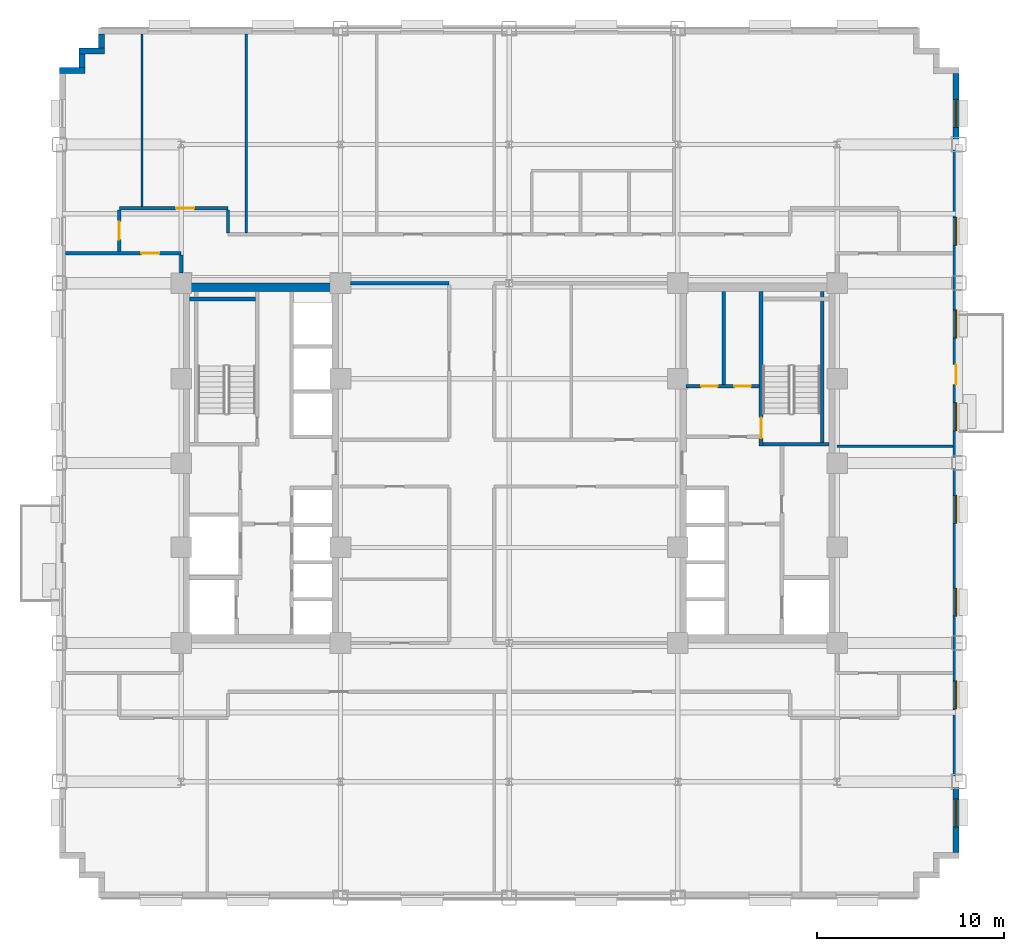
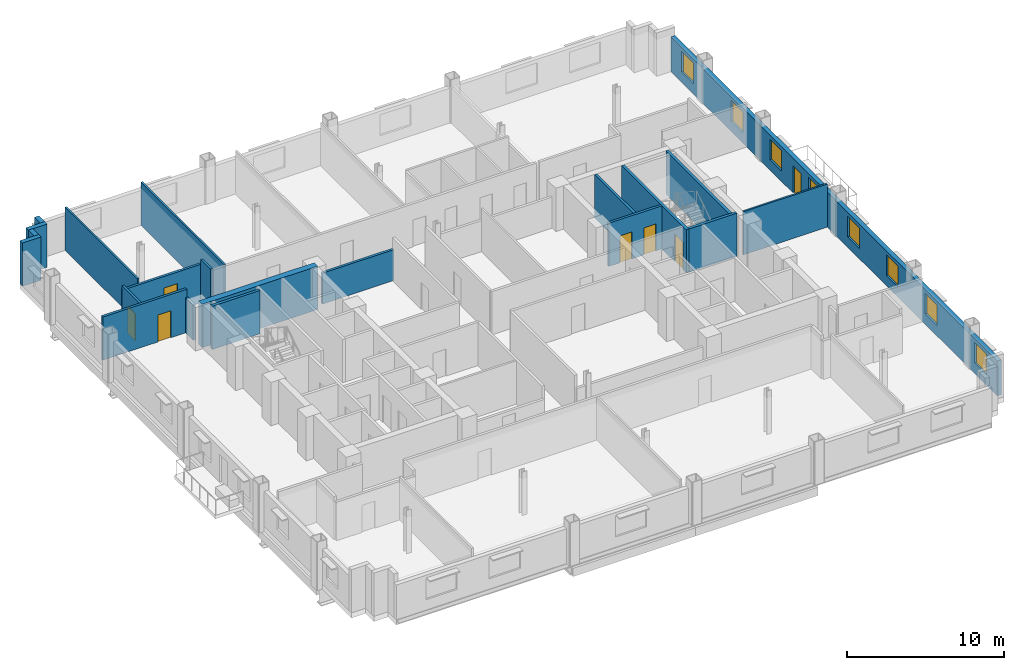
# One storey, part 8 of 15: 21 walls, 8 windows, 7 doors, 15 openings.
"""IFC4 building model written with IfcOpenShell, lengths in metres."""

from ifc_helpers import new_model, si_unit, direction, frame, frame_2d, origin, place, context, subcontext, project, spatial, rectangle, extrude, source, transform, mapped, material, layer, layer_set, type_object, type_shapes, element, fill, save


model = new_model("IFC4")

# Units and contexts
model_context = context("Model", 3, precision=1e-05, world=origin(), true_north=direction((0.0, 1.0)))
body_context = subcontext(model_context, "Body", "Model", "MODEL_VIEW")
ifc_project = project(units=[si_unit("LENGTHUNIT", "METRE"), si_unit("AREAUNIT", "SQUARE_METRE"), si_unit("VOLUMEUNIT", "CUBIC_METRE"), si_unit("PLANEANGLEUNIT", "RADIAN"), si_unit("MASSUNIT", "GRAM", prefix="KILO")], contexts=[model_context])

# Site, building, storey
site_placement = place(None, origin())
site = spatial("IfcSite", under=ifc_project, at=site_placement, CompositionType="ELEMENT")
building_placement = place(site_placement, origin())
building = spatial("IfcBuilding", under=site, at=building_placement, Name="Nuvemarco Arch Tower", CompositionType="ELEMENT")
storey_placement = place(building_placement, frame((0.0, 0.0, 86.0)))
storey = spatial("IfcBuildingStorey", under=building, at=storey_placement, Name="L22", CompositionType="ELEMENT", Elevation=86.0)

# Wall, openings, door, windows
ifc_material_1 = material(Name="Precast concrete C45/55", Category="concrete")
ifc_layer_1 = layer(ifc_material_1, 0.320068359375, Name="EW-MID-320")
ifc_layer_set_1 = layer_set([ifc_layer_1], Name="Precast concrete C45/55")
wall_type_1 = type_object("IfcWallType", Name="EW-MID-320", PredefinedType="STANDARD", material=ifc_layer_set_1)
wall_1_placement = place(storey_placement, frame((23.840087890625, -20.783935546875, 0.0), z_axis=(0.0, 0.0, 1.0), x_axis=(0.0, 1.0, 0.0)))
wall_1 = element("IfcWall", 1, at=wall_1_placement, inside=storey, type_object=wall_type_1, Name="L22 exterior precast facade wall 6", PredefinedType="STANDARD", context=body_context, shape_type="SweptSolid", body=[
    extrude(rectangle(XDim=41.56787109375, YDim=0.320068359375, at=frame_2d((20.783935546875, 0.0))), origin(), (0.0, 0.0, 1.0), 2.705078125),
])
opening_1_placement = place(wall_1_placement, frame((26.033935546875, 0.0, 0.0), z_axis=(0.0, 0.0, 1.0), x_axis=(-1.0, 0.0, 0.0)))
opening_1 = element("IfcOpeningElement", 2, at=opening_1_placement, cuts=wall_1, Name="Opening ED-5", PredefinedType="OPENING", context=body_context, shape_type="SweptSolid", body=[
    extrude(rectangle(XDim=1.050048828125, YDim=2.10009765625, at=frame_2d((0.52490234375, 1.050048828125))), frame((0.0, 0.169921875, 0.0), z_axis=(0.0, -1.0, 0.0), x_axis=(1.0, 0.0, 0.0)), (0.0, 0.0, 1.0), 0.340087890625),
])
opening_2_placement = place(wall_1_placement, frame((1.373046875, 0.0, 0.800048828125)))
opening_2 = element("IfcOpeningElement", 3, at=opening_2_placement, cuts=wall_1, Name="Opening WN-11", PredefinedType="OPENING", context=body_context, shape_type="SweptSolid", body=[
    extrude(rectangle(XDim=1.5, YDim=1.60009765625, at=frame_2d((0.75, 0.800048828125))), frame((0.0, 0.169921875, 0.0), z_axis=(0.0, -1.0, 0.0), x_axis=(1.0, 0.0, 0.0)), (0.0, 0.0, 1.0), 0.340087890625),
])
opening_3_placement = place(wall_1_placement, frame((7.6689453125, 0.0, 0.800048828125)))
opening_3 = element("IfcOpeningElement", 4, at=opening_3_placement, cuts=wall_1, Name="Opening WN-11", PredefinedType="OPENING", context=body_context, shape_type="SweptSolid", body=[
    extrude(rectangle(XDim=1.5, YDim=1.60009765625, at=frame_2d((0.75, 0.800048828125))), frame((0.0, 0.169921875, 0.0), z_axis=(0.0, -1.0, 0.0), x_axis=(1.0, 0.0, 0.0)), (0.0, 0.0, 1.0), 0.340087890625),
])
opening_4_placement = place(wall_1_placement, frame((12.614990234375, 0.0, 0.800048828125)))
opening_4 = element("IfcOpeningElement", 5, at=opening_4_placement, cuts=wall_1, Name="Opening WN-11", PredefinedType="OPENING", context=body_context, shape_type="SweptSolid", body=[
    extrude(rectangle(XDim=1.5, YDim=1.60009765625, at=frame_2d((0.75, 0.800048828125))), frame((0.0, 0.169921875, 0.0), z_axis=(0.0, -1.0, 0.0), x_axis=(1.0, 0.0, 0.0)), (0.0, 0.0, 1.0), 0.340087890625),
])
opening_5_placement = place(wall_1_placement, frame((17.56103515625, 0.0, 0.800048828125)))
opening_5 = element("IfcOpeningElement", 6, at=opening_5_placement, cuts=wall_1, Name="Opening WN-11", PredefinedType="OPENING", context=body_context, shape_type="SweptSolid", body=[
    extrude(rectangle(XDim=1.5, YDim=1.60009765625, at=frame_2d((0.75, 0.800048828125))), frame((0.0, 0.169921875, 0.0), z_axis=(0.0, -1.0, 0.0), x_axis=(1.0, 0.0, 0.0)), (0.0, 0.0, 1.0), 0.340087890625),
])
opening_6_placement = place(wall_1_placement, frame((22.507080078125, 0.0, 0.800048828125)))
opening_6 = element("IfcOpeningElement", 7, at=opening_6_placement, cuts=wall_1, Name="Opening WN-11", PredefinedType="OPENING", context=body_context, shape_type="SweptSolid", body=[
    extrude(rectangle(XDim=1.5, YDim=1.60009765625, at=frame_2d((0.75, 0.800048828125))), frame((0.0, 0.169921875, 0.0), z_axis=(0.0, -1.0, 0.0), x_axis=(1.0, 0.0, 0.0)), (0.0, 0.0, 1.0), 0.340087890625),
])
opening_7_placement = place(wall_1_placement, frame((27.452880859375, 0.0, 0.800048828125)))
opening_7 = element("IfcOpeningElement", 8, at=opening_7_placement, cuts=wall_1, Name="Opening WN-11", PredefinedType="OPENING", context=body_context, shape_type="SweptSolid", body=[
    extrude(rectangle(XDim=1.5, YDim=1.60009765625, at=frame_2d((0.75, 0.800048828125))), frame((0.0, 0.169921875, 0.0), z_axis=(0.0, -1.0, 0.0), x_axis=(1.0, 0.0, 0.0)), (0.0, 0.0, 1.0), 0.340087890625),
])
opening_8_placement = place(wall_1_placement, frame((32.39892578125, 0.0, 0.800048828125)))
opening_8 = element("IfcOpeningElement", 9, at=opening_8_placement, cuts=wall_1, Name="Opening WN-11", PredefinedType="OPENING", context=body_context, shape_type="SweptSolid", body=[
    extrude(rectangle(XDim=1.5, YDim=1.60009765625, at=frame_2d((0.75, 0.800048828125))), frame((0.0, 0.169921875, 0.0), z_axis=(0.0, -1.0, 0.0), x_axis=(1.0, 0.0, 0.0)), (0.0, 0.0, 1.0), 0.340087890625),
])
opening_9_placement = place(wall_1_placement, frame((38.695068359375, 0.0, 0.800048828125)))
opening_9 = element("IfcOpeningElement", 10, at=opening_9_placement, cuts=wall_1, Name="Opening WN-11", PredefinedType="OPENING", context=body_context, shape_type="SweptSolid", body=[
    extrude(rectangle(XDim=1.5, YDim=1.60009765625, at=frame_2d((0.75, 0.800048828125))), frame((0.0, 0.169921875, 0.0), z_axis=(0.0, -1.0, 0.0), x_axis=(1.0, 0.0, 0.0)), (0.0, 0.0, 1.0), 0.340087890625),
])
ifc_material_2 = material(Name="Anodised bronze and laminated glass", Category="glass")
door_type_1 = type_object("IfcDoorType", Name="DR-EXT-TERR", OperationType="NOTDEFINED", PredefinedType="DOOR", material=ifc_material_2)
shared_shape_1 = source(origin(), body_context, "Body", "SweptSolid", [
    extrude(rectangle(XDim=1.050048828125, YDim=2.10009765625, at=frame_2d((0.52490234375, 1.050048828125))), frame((0.0, 0.02490234375, 0.0), z_axis=(0.0, -1.0, 0.0), x_axis=(1.0, 0.0, 0.0)), (0.0, 0.0, 1.0), 0.050048828125),
])
type_shapes(door_type_1, [shared_shape_1])
door_1_placement = place(opening_1_placement, origin())
door_1 = element("IfcDoor", 11, at=door_1_placement, inside=storey, type_object=door_type_1, Name="L22 spiral terrace access door", OperationType="SINGLE_SWING_RIGHT", OverallHeight=2.10009765625, OverallWidth=1.050048828125, PredefinedType="DOOR", context=body_context, shape_type="MappedRepresentation", body=[
    mapped(shared_shape_1, transform((0.0, 0.0, 0.0), scale=1.0)),
])
fill(opening_1, door_1)
ifc_material_3 = material(Name="Insulated solar-control glass", Category="glass")
window_type = type_object("IfcWindowType", Name="WN-STEP-1500x1850", PartitioningType="SINGLE_PANEL", PredefinedType="WINDOW", material=ifc_material_3)
shared_shape_2 = source(origin(), body_context, "Body", "SweptSolid", [
    extrude(rectangle(XDim=1.5, YDim=1.60009765625, at=frame_2d((0.75, 0.800048828125))), frame((0.0, 0.030029296875, 0.0), z_axis=(0.0, -1.0, 0.0), x_axis=(1.0, 0.0, 0.0)), (0.0, 0.0, 1.0), 0.06005859375),
])
type_shapes(window_type, [shared_shape_2])
window_1_placement = place(opening_2_placement, origin())
window_1 = element("IfcWindow", 12, at=window_1_placement, inside=storey, type_object=window_type, Name="L22 punched facade window 1", OverallHeight=1.60009765625, OverallWidth=1.5, PartitioningType="SINGLE_PANEL", PredefinedType="WINDOW", context=body_context, shape_type="MappedRepresentation", body=[
    mapped(shared_shape_2, transform((0.0, 0.0, 0.0), scale=1.0)),
])
fill(opening_2, window_1)
window_2_placement = place(opening_3_placement, origin())
window_2 = element("IfcWindow", 13, at=window_2_placement, inside=storey, type_object=window_type, Name="L22 punched facade window 2", OverallHeight=1.60009765625, OverallWidth=1.5, PartitioningType="SINGLE_PANEL", PredefinedType="WINDOW", context=body_context, shape_type="MappedRepresentation", body=[
    mapped(shared_shape_2, transform((0.0, 0.0, 0.0), scale=1.0)),
])
fill(opening_3, window_2)
window_3_placement = place(opening_4_placement, origin())
window_3 = element("IfcWindow", 14, at=window_3_placement, inside=storey, type_object=window_type, Name="L22 punched facade window 3", OverallHeight=1.60009765625, OverallWidth=1.5, PartitioningType="SINGLE_PANEL", PredefinedType="WINDOW", context=body_context, shape_type="MappedRepresentation", body=[
    mapped(shared_shape_2, transform((0.0, 0.0, 0.0), scale=1.0)),
])
fill(opening_4, window_3)
window_4_placement = place(opening_5_placement, origin())
window_4 = element("IfcWindow", 15, at=window_4_placement, inside=storey, type_object=window_type, Name="L22 punched facade window 4", OverallHeight=1.60009765625, OverallWidth=1.5, PartitioningType="SINGLE_PANEL", PredefinedType="WINDOW", context=body_context, shape_type="MappedRepresentation", body=[
    mapped(shared_shape_2, transform((0.0, 0.0, 0.0), scale=1.0)),
])
fill(opening_5, window_4)
window_5_placement = place(opening_6_placement, origin())
window_5 = element("IfcWindow", 16, at=window_5_placement, inside=storey, type_object=window_type, Name="L22 punched facade window 5", OverallHeight=1.60009765625, OverallWidth=1.5, PartitioningType="SINGLE_PANEL", PredefinedType="WINDOW", context=body_context, shape_type="MappedRepresentation", body=[
    mapped(shared_shape_2, transform((0.0, 0.0, 0.0), scale=1.0)),
])
fill(opening_6, window_5)
window_6_placement = place(opening_7_placement, origin())
window_6 = element("IfcWindow", 17, at=window_6_placement, inside=storey, type_object=window_type, Name="L22 punched facade window 6", OverallHeight=1.60009765625, OverallWidth=1.5, PartitioningType="SINGLE_PANEL", PredefinedType="WINDOW", context=body_context, shape_type="MappedRepresentation", body=[
    mapped(shared_shape_2, transform((0.0, 0.0, 0.0), scale=1.0)),
])
fill(opening_7, window_6)
window_7_placement = place(opening_8_placement, origin())
window_7 = element("IfcWindow", 18, at=window_7_placement, inside=storey, type_object=window_type, Name="L22 punched facade window 7", OverallHeight=1.60009765625, OverallWidth=1.5, PartitioningType="SINGLE_PANEL", PredefinedType="WINDOW", context=body_context, shape_type="MappedRepresentation", body=[
    mapped(shared_shape_2, transform((0.0, 0.0, 0.0), scale=1.0)),
])
fill(opening_8, window_7)
window_8_placement = place(opening_9_placement, origin())
window_8 = element("IfcWindow", 19, at=window_8_placement, inside=storey, type_object=window_type, Name="L22 punched facade window 8", OverallHeight=1.60009765625, OverallWidth=1.5, PartitioningType="SINGLE_PANEL", PredefinedType="WINDOW", context=body_context, shape_type="MappedRepresentation", body=[
    mapped(shared_shape_2, transform((0.0, 0.0, 0.0), scale=1.0)),
])
fill(opening_9, window_8)

# Walls
wall_2_placement = place(storey_placement, frame((-21.739990234375, 22.14599609375, 0.0), z_axis=(0.0, 0.0, 1.0), x_axis=(0.0, 1.0, 0.0)))
element("IfcWall", 20, at=wall_2_placement, inside=storey, type_object=wall_type_1, Name="L22 exterior precast facade wall 12", PredefinedType="STANDARD", context=body_context, shape_type="SweptSolid", body=[
    extrude(rectangle(XDim=0.738037109375, YDim=0.320068359375, at=frame_2d((0.369140625, 0.0))), origin(), (0.0, 0.0, 1.0), 3.360107421875),
])
wall_3_placement = place(storey_placement, frame((-22.949951171875, 21.989990234375, 0.0), z_axis=(0.0, 0.0, 1.0), x_axis=(1.0, 0.0, 0.0)))
element("IfcWall", 21, at=wall_3_placement, inside=storey, type_object=wall_type_1, Name="L22 exterior precast facade wall 13", PredefinedType="STANDARD", context=body_context, shape_type="SweptSolid", body=[
    extrude(rectangle(XDim=1.369873046875, YDim=0.320068359375, at=frame_2d((0.68505859375, 0.0))), origin(), (0.0, 0.0, 1.0), 3.360107421875),
])
wall_4_placement = place(storey_placement, frame((-22.7900390625, 21.095947265625, 0.0), z_axis=(0.0, 0.0, 1.0), x_axis=(0.0, 1.0, 0.0)))
element("IfcWall", 22, at=wall_4_placement, inside=storey, type_object=wall_type_1, Name="L22 exterior precast facade wall 14", PredefinedType="STANDARD", context=body_context, shape_type="SweptSolid", body=[
    extrude(rectangle(XDim=0.738037109375, YDim=0.320068359375, at=frame_2d((0.369140625, 0.0))), origin(), (0.0, 0.0, 1.0), 3.360107421875),
])
wall_5_placement = place(storey_placement, frame((-24.0, 20.93994140625, 0.0), z_axis=(0.0, 0.0, 1.0), x_axis=(1.0, 0.0, 0.0)))
element("IfcWall", 23, at=wall_5_placement, inside=storey, type_object=wall_type_1, Name="L22 exterior precast facade wall 15", PredefinedType="STANDARD", context=body_context, shape_type="SweptSolid", body=[
    extrude(rectangle(XDim=1.3701171875, YDim=0.320068359375, at=frame_2d((0.68505859375, 0.0))), origin(), (0.0, 0.0, 1.0), 3.360107421875),
])
ifc_material_4 = material(Name="Concrete C60/75", Category="concrete")
ifc_layer_2 = layer(ifc_material_4, 0.449951171875, Name="WL-CORE-450")
ifc_layer_set_2 = layer_set([ifc_layer_2], Name="Concrete C60/75")
wall_type_2 = type_object("IfcWallType", Name="WL-CORE-450", PredefinedType="SHEAR", material=ifc_layer_set_2)
wall_6_placement = place(storey_placement, frame((-17.5, 9.375, 0.0), z_axis=(0.0, 0.0, 1.0), x_axis=(1.0, 0.0, 0.0)))
element("IfcWall", 24, at=wall_6_placement, inside=storey, type_object=wall_type_2, Name="L22 W-core shear wall N", PredefinedType="SHEAR", context=body_context, shape_type="SweptSolid", body=[
    extrude(rectangle(XDim=8.5, YDim=0.449951171875, at=frame_2d((4.25, 0.0))), origin(), (0.0, 0.0, 1.0), 3.3701171875),
])

# Wall, openings, doors
ifc_material_5 = material(Name="Fire-rated gypsum drywall partition")
ifc_layer_3 = layer(ifc_material_5, 0.179931640625, Name="WL-CORR-180")
ifc_layer_set_3 = layer_set([ifc_layer_3], Name="Fire-rated gypsum drywall partition")
wall_type_3 = type_object("IfcWallType", Name="WL-CORR-180", PredefinedType="PARTITIONING", material=ifc_layer_set_3)
wall_7_placement = place(storey_placement, frame((9.445068359375, 4.10009765625, 0.0), z_axis=(0.0, 0.0, 1.0), x_axis=(1.0, 0.0, 0.0)))
wall_7 = element("IfcWall", 25, at=wall_7_placement, inside=storey, type_object=wall_type_3, Name="L22 interior wall IW-L22-EK3H", PredefinedType="PARTITIONING", context=body_context, shape_type="SweptSolid", body=[
    extrude(rectangle(XDim=3.89990234375, YDim=0.179931640625, at=frame_2d((1.949951171875, 0.0))), origin(), (0.0, 0.0, 1.0), 3.360107421875),
])
opening_10_placement = place(wall_7_placement, frame((0.800048828125, 0.0, 0.0)))
opening_10 = element("IfcOpeningElement", 26, at=opening_10_placement, cuts=wall_7, Name="Opening FD-4", PredefinedType="OPENING", context=body_context, shape_type="SweptSolid", body=[
    extrude(rectangle(XDim=0.8798828125, YDim=2.10009765625, at=frame_2d((0.43994140625, 1.050048828125))), frame((0.0, 0.099853515625, 0.0), z_axis=(0.0, -1.0, 0.0), x_axis=(1.0, 0.0, 0.0)), (0.0, 0.0, 1.0), 0.199951171875),
])
opening_11_placement = place(wall_7_placement, frame((2.56494140625, 0.0, 0.0)))
opening_11 = element("IfcOpeningElement", 27, at=opening_11_placement, cuts=wall_7, Name="Opening FD-4", PredefinedType="OPENING", context=body_context, shape_type="SweptSolid", body=[
    extrude(rectangle(XDim=0.8798828125, YDim=2.10009765625, at=frame_2d((0.43994140625, 1.050048828125))), frame((0.0, 0.099853515625, 0.0), z_axis=(0.0, -1.0, 0.0), x_axis=(1.0, 0.0, 0.0)), (0.0, 0.0, 1.0), 0.199951171875),
])
ifc_material_6 = material(Name="Anodised steel fire door", Category="steel")
door_type_2 = type_object("IfcDoorType", Name="DR-RISER-FD", OperationType="NOTDEFINED", PredefinedType="DOOR", material=ifc_material_6)
shared_shape_3 = source(origin(), body_context, "Body", "SweptSolid", [
    extrude(rectangle(XDim=0.8798828125, YDim=2.10009765625, at=frame_2d((0.43994140625, 1.050048828125))), frame((0.0, 0.02490234375, 0.0), z_axis=(0.0, -1.0, 0.0), x_axis=(1.0, 0.0, 0.0)), (0.0, 0.0, 1.0), 0.050048828125),
])
type_shapes(door_type_2, [shared_shape_3])
door_2_placement = place(opening_10_placement, origin())
door_2 = element("IfcDoor", 28, at=door_2_placement, inside=storey, type_object=door_type_2, Name="L22 door FD-L22-EK3B", OperationType="SINGLE_SWING_LEFT", OverallHeight=2.10009765625, OverallWidth=0.8798828125, PredefinedType="DOOR", context=body_context, shape_type="MappedRepresentation", body=[
    mapped(shared_shape_3, transform((0.0, 0.0, 0.0), scale=1.0)),
])
fill(opening_10, door_2)
door_3_placement = place(opening_11_placement, origin())
door_3 = element("IfcDoor", 29, at=door_3_placement, inside=storey, type_object=door_type_2, Name="L22 door FD-L22-EK3C", OperationType="SINGLE_SWING_RIGHT", OverallHeight=2.10009765625, OverallWidth=0.8798828125, PredefinedType="DOOR", context=body_context, shape_type="MappedRepresentation", body=[
    mapped(shared_shape_3, transform((0.0, 0.0, 0.0), scale=1.0)),
])
fill(opening_11, door_3)

# Walls
wall_8_placement = place(storey_placement, frame((11.449951171875, 4.18994140625, 0.0), z_axis=(0.0, 0.0, 1.0), x_axis=(0.0, 1.0, 0.0)))
element("IfcWall", 30, at=wall_8_placement, inside=storey, type_object=wall_type_3, Name="L22 interior wall IW-L22-EK3V", PredefinedType="PARTITIONING", context=body_context, shape_type="SweptSolid", body=[
    extrude(rectangle(XDim=4.965087890625, YDim=0.179931640625, at=frame_2d((2.482421875, 0.0))), origin(), (0.0, 0.0, 1.0), 3.360107421875),
])
wall_9_placement = place(storey_placement, frame((-8.4541015625, 9.60009765625, 0.0), z_axis=(0.0, 0.0, 1.0), x_axis=(1.0, 0.0, 0.0)))
element("IfcWall", 31, at=wall_9_placement, inside=storey, type_object=wall_type_3, Name="L22 interior wall IW-L22-015", PredefinedType="PARTITIONING", context=body_context, shape_type="SweptSolid", body=[
    extrude(rectangle(XDim=5.254150390625, YDim=0.179931640625, at=frame_2d((2.626953125, 0.0))), origin(), (0.0, 0.0, 1.0), 2.405029296875),
])

# Wall, opening, door
wall_10_placement = place(storey_placement, frame((-23.679931640625, 11.199951171875, 0.0), z_axis=(0.0, 0.0, 1.0), x_axis=(1.0, 0.0, 0.0)))
wall_10 = element("IfcWall", 32, at=wall_10_placement, inside=storey, type_object=wall_type_3, Name="L22 interior wall IW-L22-018", PredefinedType="PARTITIONING", context=body_context, shape_type="SweptSolid", body=[
    extrude(rectangle(XDim=6.179931640625, YDim=0.179931640625, at=frame_2d((3.08984375, 0.0))), origin(), (0.0, 0.0, 1.0), 3.360107421875),
])
opening_12_placement = place(wall_10_placement, frame((4.050048828125, 0.0, 0.0)))
opening_12 = element("IfcOpeningElement", 33, at=opening_12_placement, cuts=wall_10, Name="Opening FD-5", PredefinedType="OPENING", context=body_context, shape_type="SweptSolid", body=[
    extrude(rectangle(XDim=0.9599609375, YDim=2.10009765625, at=frame_2d((0.47998046875, 1.050048828125))), frame((0.0, 0.099853515625, 0.0), z_axis=(0.0, -1.0, 0.0), x_axis=(1.0, 0.0, 0.0)), (0.0, 0.0, 1.0), 0.199951171875),
])
ifc_material_7 = material(Name="Timber fire door", Category="wood")
door_type_3 = type_object("IfcDoorType", Name="DR-CORR-FD", OperationType="NOTDEFINED", PredefinedType="DOOR", material=ifc_material_7)
shared_shape_4 = source(origin(), body_context, "Body", "SweptSolid", [
    extrude(rectangle(XDim=0.9599609375, YDim=2.10009765625, at=frame_2d((0.47998046875, 1.050048828125))), frame((0.0, 0.02490234375, 0.0), z_axis=(0.0, -1.0, 0.0), x_axis=(1.0, 0.0, 0.0)), (0.0, 0.0, 1.0), 0.050048828125),
])
type_shapes(door_type_3, [shared_shape_4])
door_4_placement = place(opening_12_placement, origin())
door_4 = element("IfcDoor", 34, at=door_4_placement, inside=storey, type_object=door_type_3, Name="L22 door DR-L22-W_1", OperationType="SINGLE_SWING_LEFT", OverallHeight=2.10009765625, OverallWidth=0.9599609375, PredefinedType="DOOR", context=body_context, shape_type="MappedRepresentation", body=[
    mapped(shared_shape_4, transform((0.0, 0.0, 0.0), scale=1.0)),
])
fill(opening_12, door_4)

wall_11_placement = place(storey_placement, frame((-20.800048828125, 13.60009765625, 0.0), z_axis=(0.0, 0.0, 1.0), x_axis=(1.0, 0.0, 0.0)))
wall_11 = element("IfcWall", 35, at=wall_11_placement, inside=storey, type_object=wall_type_3, Name="L22 interior wall IW-L22-022", PredefinedType="PARTITIONING", context=body_context, shape_type="SweptSolid", body=[
    extrude(rectangle(XDim=5.800048828125, YDim=0.179931640625, at=frame_2d((2.89990234375, 0.0))), origin(), (0.0, 0.0, 1.0), 2.998046875),
])
opening_13_placement = place(wall_11_placement, frame((3.02490234375, 0.0, 0.0)))
opening_13 = element("IfcOpeningElement", 36, at=opening_13_placement, cuts=wall_11, Name="Opening FD-5", PredefinedType="OPENING", context=body_context, shape_type="SweptSolid", body=[
    extrude(rectangle(XDim=0.9599609375, YDim=2.10009765625, at=frame_2d((0.47998046875, 1.050048828125))), frame((0.0, 0.099853515625, 0.0), z_axis=(0.0, -1.0, 0.0), x_axis=(1.0, 0.0, 0.0)), (0.0, 0.0, 1.0), 0.199951171875),
])
door_5_placement = place(opening_13_placement, origin())
door_5 = element("IfcDoor", 37, at=door_5_placement, inside=storey, type_object=door_type_3, Name="L22 door DR-L22-N_2", OperationType="SINGLE_SWING_LEFT", OverallHeight=2.10009765625, OverallWidth=0.9599609375, PredefinedType="DOOR", context=body_context, shape_type="MappedRepresentation", body=[
    mapped(shared_shape_4, transform((0.0, 0.0, 0.0), scale=1.0)),
])
fill(opening_13, door_5)

wall_12_placement = place(storey_placement, frame((-20.800048828125, 11.285888671875, 0.0), z_axis=(0.0, 0.0, 1.0), x_axis=(0.0, 1.0, 0.0)))
wall_12 = element("IfcWall", 38, at=wall_12_placement, inside=storey, type_object=wall_type_3, Name="L22 interior wall IW-L22-026", PredefinedType="PARTITIONING", context=body_context, shape_type="SweptSolid", body=[
    extrude(rectangle(XDim=2.22802734375, YDim=0.179931640625, at=frame_2d((1.114013671875, 0.0))), origin(), (0.0, 0.0, 1.0), 3.360107421875),
])
opening_14_placement = place(wall_12_placement, frame((0.634033203125, 0.0, 0.0)))
opening_14 = element("IfcOpeningElement", 39, at=opening_14_placement, cuts=wall_12, Name="Opening FD-5", PredefinedType="OPENING", context=body_context, shape_type="SweptSolid", body=[
    extrude(rectangle(XDim=0.9599609375, YDim=2.10009765625, at=frame_2d((0.47998046875, 1.050048828125))), frame((0.0, 0.099853515625, 0.0), z_axis=(0.0, -1.0, 0.0), x_axis=(1.0, 0.0, 0.0)), (0.0, 0.0, 1.0), 0.199951171875),
])
door_6_placement = place(opening_14_placement, origin())
door_6 = element("IfcDoor", 40, at=door_6_placement, inside=storey, type_object=door_type_3, Name="L22 door DR-L22-N_1", OperationType="SINGLE_SWING_LEFT", OverallHeight=2.10009765625, OverallWidth=0.9599609375, PredefinedType="DOOR", context=body_context, shape_type="MappedRepresentation", body=[
    mapped(shared_shape_4, transform((0.0, 0.0, 0.0), scale=1.0)),
])
fill(opening_14, door_6)

# Walls
wall_13_placement = place(storey_placement, frame((-17.5, 10.14599609375, 0.0), z_axis=(0.0, 0.0, 1.0), x_axis=(0.0, 1.0, 0.0)))
element("IfcWall", 41, at=wall_13_placement, inside=storey, type_object=wall_type_3, Name="L22 interior wall IW-L22-029", PredefinedType="PARTITIONING", context=body_context, shape_type="SweptSolid", body=[
    extrude(rectangle(XDim=0.968017578125, YDim=0.179931640625, at=frame_2d((0.48388671875, 0.0))), origin(), (0.0, 0.0, 1.0), 2.738037109375),
])
wall_14_placement = place(storey_placement, frame((-15.0, 12.285888671875, 0.0), z_axis=(0.0, 0.0, 1.0), x_axis=(0.0, 1.0, 0.0)))
element("IfcWall", 42, at=wall_14_placement, inside=storey, type_object=wall_type_3, Name="L22 interior wall IW-L22-032", PredefinedType="PARTITIONING", context=body_context, shape_type="SweptSolid", body=[
    extrude(rectangle(XDim=1.22802734375, YDim=0.179931640625, at=frame_2d((0.614013671875, 0.0))), origin(), (0.0, 0.0, 1.0), 3.360107421875),
])
ifc_material_8 = material(Name="Glazed acoustic office partition")
ifc_layer_4 = layer(ifc_material_8, 0.1298828125, Name="WL-EXEC-130")
ifc_layer_set_4 = layer_set([ifc_layer_4], Name="Glazed acoustic office partition")
wall_type_4 = type_object("IfcWallType", Name="WL-EXEC-130", PredefinedType="PARTITIONING", material=ifc_layer_set_4)
wall_15_placement = place(storey_placement, frame((17.5, 0.89990234375, 0.0), z_axis=(0.0, 0.0, 1.0), x_axis=(1.0, 0.0, 0.0)))
element("IfcWall", 43, at=wall_15_placement, inside=storey, type_object=wall_type_4, Name="L22 interior wall IW-L22-012", PredefinedType="PARTITIONING", context=body_context, shape_type="SweptSolid", body=[
    extrude(rectangle(XDim=6.179931640625, YDim=0.1298828125, at=frame_2d((3.08984375, 0.0))), origin(), (0.0, 0.0, 1.0), 3.360107421875),
])
wall_16_placement = place(storey_placement, frame((-19.590087890625, 13.68603515625, 0.0), z_axis=(0.0, 0.0, 1.0), x_axis=(0.0, 1.0, 0.0)))
element("IfcWall", 44, at=wall_16_placement, inside=storey, type_object=wall_type_4, Name="L22 interior wall IW-L22-027", PredefinedType="PARTITIONING", context=body_context, shape_type="SweptSolid", body=[
    extrude(rectangle(XDim=9.19384765625, YDim=0.1298828125, at=frame_2d((4.596923828125, 0.0))), origin(), (0.0, 0.0, 1.0), 3.360107421875),
])
wall_17_placement = place(storey_placement, frame((-14.02001953125, 12.285888671875, 0.0), z_axis=(0.0, 0.0, 1.0), x_axis=(0.0, 1.0, 0.0)))
element("IfcWall", 45, at=wall_17_placement, inside=storey, type_object=wall_type_4, Name="L22 interior wall IW-L22-033", PredefinedType="PARTITIONING", context=body_context, shape_type="SweptSolid", body=[
    extrude(rectangle(XDim=10.593994140625, YDim=0.1298828125, at=frame_2d((5.296875, 0.0))), origin(), (0.0, 0.0, 1.0), 3.360107421875),
])
ifc_material_9 = material(Name="Concrete C50/60", Category="concrete")
ifc_layer_5 = layer(ifc_material_9, 0.199951171875, Name="WL-SHAFT-220")
ifc_layer_set_5 = layer_set([ifc_layer_5], Name="Concrete C50/60")
wall_type_5 = type_object("IfcWallType", Name="WL-SHAFT-220", PredefinedType="SHEAR", material=ifc_layer_set_5)
wall_18_placement = place(storey_placement, frame((-17.054931640625, 8.75, 0.0), z_axis=(0.0, 0.0, 1.0), x_axis=(1.0, 0.0, 0.0)))
element("IfcWall", 46, at=wall_18_placement, inside=storey, type_object=wall_type_5, Name="L22 structural shaft wall SW-L22-W-ST1N", PredefinedType="SHEAR", context=body_context, shape_type="SweptSolid", body=[
    extrude(rectangle(XDim=3.52001953125, YDim=0.199951171875, at=frame_2d((1.760009765625, 0.0))), origin(), (0.0, 0.0, 1.0), 3.3701171875),
])

# Wall, opening, door
wall_19_placement = place(storey_placement, frame((13.43994140625, 0.89990234375, 0.0), z_axis=(0.0, 0.0, 1.0), x_axis=(0.0, 1.0, 0.0)))
wall_19 = element("IfcWall", 47, at=wall_19_placement, inside=storey, type_object=wall_type_5, Name="L22 structural shaft wall SW-L22-E-ST2W", PredefinedType="SHEAR", context=body_context, shape_type="SweptSolid", body=[
    extrude(rectangle(XDim=8.255126953125, YDim=0.199951171875, at=frame_2d((4.12744140625, 0.0))), origin(), (0.0, 0.0, 1.0), 3.3701171875),
])
opening_15_placement = place(wall_19_placement, frame((0.429931640625, 0.0, 0.0)))
opening_15 = element("IfcOpeningElement", 48, at=opening_15_placement, cuts=wall_19, Name="Opening FD-1", PredefinedType="OPENING", context=body_context, shape_type="SweptSolid", body=[
    extrude(rectangle(XDim=1.10009765625, YDim=2.14990234375, at=frame_2d((0.550048828125, 1.074951171875))), frame((0.0, 0.10986328125, 0.0), z_axis=(0.0, -1.0, 0.0), x_axis=(1.0, 0.0, 0.0)), (0.0, 0.0, 1.0), 0.219970703125),
])
door_type_4 = type_object("IfcDoorType", Name="DR-STAIR-FD", OperationType="NOTDEFINED", PredefinedType="DOOR", material=ifc_material_6)
shared_shape_5 = source(origin(), body_context, "Body", "SweptSolid", [
    extrude(rectangle(XDim=1.10009765625, YDim=2.14990234375, at=frame_2d((0.550048828125, 1.074951171875))), frame((0.0, 0.02490234375, 0.0), z_axis=(0.0, -1.0, 0.0), x_axis=(1.0, 0.0, 0.0)), (0.0, 0.0, 1.0), 0.050048828125),
])
type_shapes(door_type_4, [shared_shape_5])
door_7_placement = place(opening_15_placement, origin())
door_7 = element("IfcDoor", 49, at=door_7_placement, inside=storey, type_object=door_type_4, Name="L22 door FD-L22-ST2", OperationType="SINGLE_SWING_LEFT", OverallHeight=2.14990234375, OverallWidth=1.10009765625, PredefinedType="DOOR", context=body_context, shape_type="MappedRepresentation", body=[
    mapped(shared_shape_5, transform((0.0, 0.0, 0.0), scale=1.0)),
])
fill(opening_15, door_7)

# Walls
wall_20_placement = place(storey_placement, frame((13.534912109375, 1.0, 0.0), z_axis=(0.0, 0.0, 1.0), x_axis=(1.0, 0.0, 0.0)))
element("IfcWall", 50, at=wall_20_placement, inside=storey, type_object=wall_type_5, Name="L22 structural shaft wall SW-L22-E-ST2S", PredefinedType="SHEAR", context=body_context, shape_type="SweptSolid", body=[
    extrude(rectangle(XDim=3.52001953125, YDim=0.199951171875, at=frame_2d((1.760009765625, 0.0))), origin(), (0.0, 0.0, 1.0), 3.3701171875),
])
wall_21_placement = place(storey_placement, frame((16.699951171875, 1.094970703125, 0.0), z_axis=(0.0, 0.0, 1.0), x_axis=(0.0, 1.0, 0.0)))
element("IfcWall", 51, at=wall_21_placement, inside=storey, type_object=wall_type_5, Name="L22 structural shaft wall SW-L22-E-ST2E", PredefinedType="SHEAR", context=body_context, shape_type="SweptSolid", body=[
    extrude(rectangle(XDim=8.06005859375, YDim=0.199951171875, at=frame_2d((4.030029296875, 0.0))), origin(), (0.0, 0.0, 1.0), 3.3701171875),
])

save(model, "model.ifc")
